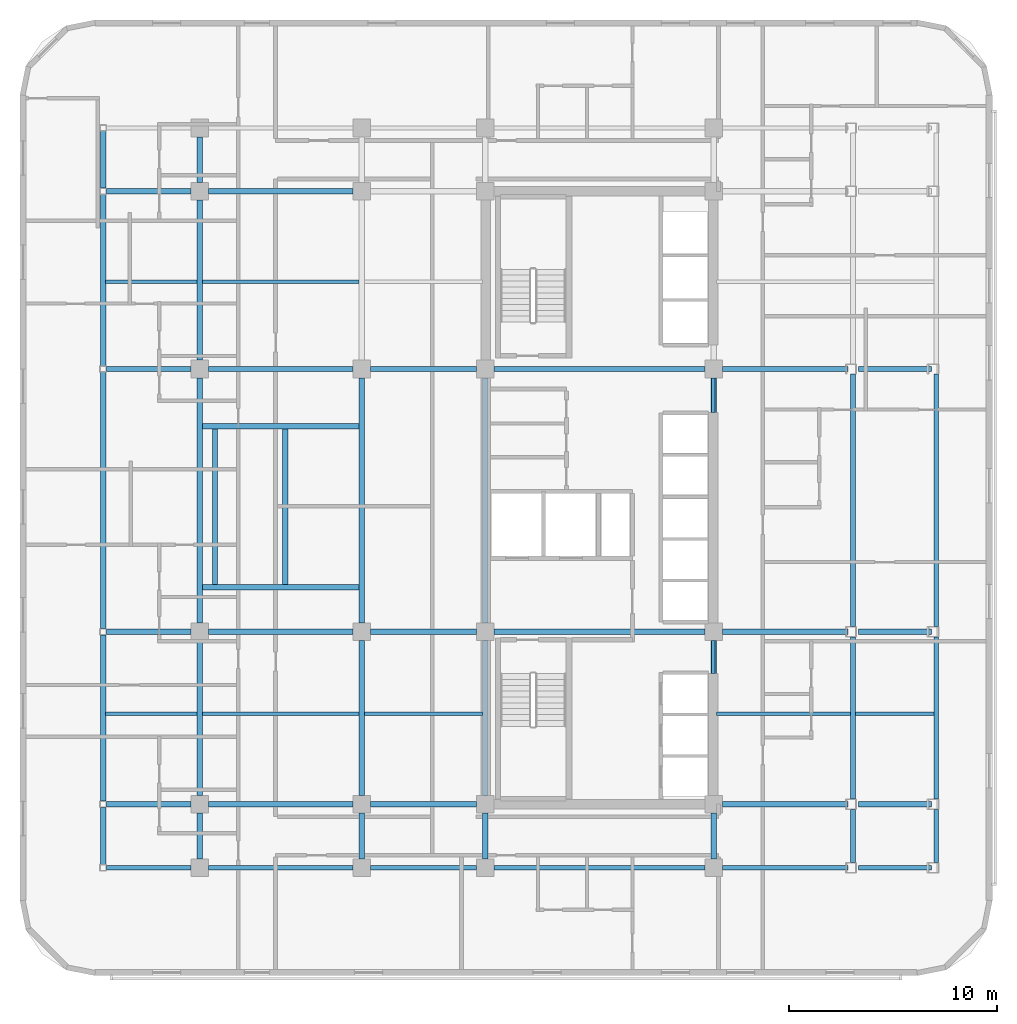
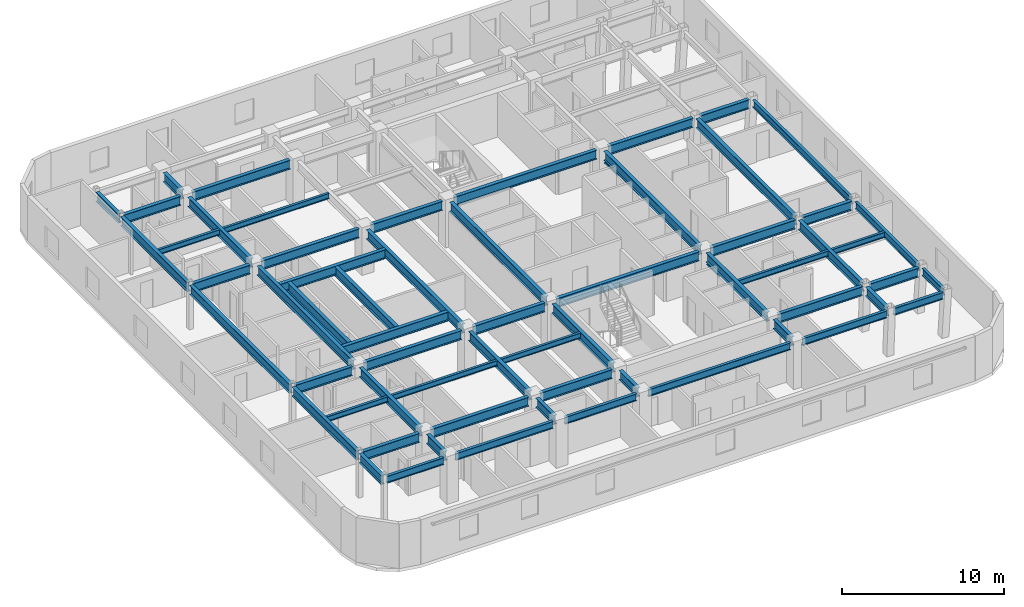
# One storey, part 4 of 14: 63 beams.
"""IFC4 building model written with IfcOpenShell, lengths in metres."""

import ifcopenshell
import ifcopenshell.guid

model = None  # the IFC model being written
_history = None  # IfcOwnerHistory: only IFC2X3 demands one
_inside = {}  # id of a spatial element -> (the spatial element, [elements in it])
_under = {}  # id of a project, library or spatial element -> (it, [spatial elements below it])
_declared = {}  # id of a project -> (the project, [libraries it declares])
_typed = {}  # id of a type object -> (the type object, [elements of that type])
_made_of = {}  # id of a material, layer set ... -> (it, [elements and type objects made of it])


def new_model(schema):
    """Start an empty IFC model of exactly this schema.

    Asked for "IFC4X3", IfcOpenShell would pick the latest addendum, in which some entities
    have other attributes; the version numbers below select the first issue.
    IFC2X3 requires an IfcOwnerHistory on every rooted entity: one is made here for all.
    """
    global model, _history
    if schema == "IFC4X3":
        model = ifcopenshell.file(schema_version=(4, 3, 0, 0))
    else:
        model = ifcopenshell.file(schema=schema)
    _inside.clear()
    _under.clear()
    _declared.clear()
    _typed.clear()
    _made_of.clear()
    _history = None
    if model.schema == "IFC2X3":
        org = make("IfcOrganization", Name="unknown")
        user = make(
            "IfcPersonAndOrganization",
            ThePerson=make("IfcPerson", FamilyName="unknown"),
            TheOrganization=org,
        )
        app = make(
            "IfcApplication",
            ApplicationDeveloper=org,
            Version="unknown",
            ApplicationFullName="unknown",
            ApplicationIdentifier="unknown",
        )
        _history = make(
            "IfcOwnerHistory",
            OwningUser=user,
            OwningApplication=app,
            ChangeAction="ADDED",
            CreationDate=0,
        )
    return model


def make(cls, **values):
    """One entity of the class cls with the attributes given. An attribute that is None is left unset."""
    return model.create_entity(
        cls, **{name: value for name, value in values.items() if value is not None}
    )


def rooted(cls, **values):
    """An entity with a GlobalId (a new one), such as an element, a storey or a relation."""
    return make(cls, GlobalId=ifcopenshell.guid.new(), OwnerHistory=_history, **values)


def si_unit(unit_type, name, prefix=None):
    """IfcSIUnit, for example si_unit("LENGTHUNIT", "METRE", prefix="MILLI")."""
    return make("IfcSIUnit", UnitType=unit_type, Prefix=prefix, Name=name)


def assignment(units):
    """IfcUnitAssignment: the units of a project."""
    return None if units is None else make("IfcUnitAssignment", Units=units)


def point(xyz):
    """IfcCartesianPoint."""
    return None if xyz is None else make("IfcCartesianPoint", Coordinates=xyz)


def direction(xyz):
    """IfcDirection."""
    return None if xyz is None else make("IfcDirection", DirectionRatios=xyz)


def frame(location, z_axis=None, x_axis=None):
    """IfcAxis2Placement3D, a coordinate frame: its origin and axes. An axis left out is left unset."""
    return make(
        "IfcAxis2Placement3D",
        Location=point(location),
        Axis=direction(z_axis),
        RefDirection=direction(x_axis),
    )


def frame_2d(location, x_axis=None):
    """IfcAxis2Placement2D, a coordinate frame in the plane: its origin and x axis."""
    return make(
        "IfcAxis2Placement2D", Location=point(location), RefDirection=direction(x_axis)
    )


def origin():
    """The frame at (0, 0, 0) with its axes left unset."""
    return frame((0.0, 0.0, 0.0))


def origin_2d():
    """The frame at (0, 0) in the plane with its x axis left unset."""
    return frame_2d((0.0, 0.0))


def place(relative_to, where):
    """IfcLocalPlacement: puts the frame where relative to a parent placement (None: the world)."""
    return make(
        "IfcLocalPlacement", PlacementRelTo=relative_to, RelativePlacement=where
    )


def context(
    kind, dimensions, precision=None, world=None, true_north=None, identifier=None
):
    """IfcGeometricRepresentationContext, for example the 3D "Model" context."""
    return make(
        "IfcGeometricRepresentationContext",
        ContextIdentifier=identifier,
        ContextType=kind,
        CoordinateSpaceDimension=dimensions,
        Precision=precision,
        WorldCoordinateSystem=world,
        TrueNorth=true_north,
    )


def subcontext(parent, identifier, kind, view, scale=None):
    """IfcGeometricRepresentationSubContext, for example "Body" below "Model"."""
    return make(
        "IfcGeometricRepresentationSubContext",
        ContextIdentifier=identifier,
        ContextType=kind,
        ParentContext=parent,
        TargetScale=scale,
        TargetView=view,
    )


def project(units=None, contexts=None):
    """IfcProject with its units and contexts."""
    return rooted(
        "IfcProject",
        Name="project",
        RepresentationContexts=contexts,
        UnitsInContext=assignment(units),
    )


def spatial(cls, under=None, at=None, **own):
    """A site, building, storey or space (cls), placed at a placement, below another one or the project."""
    s = rooted(cls, ObjectPlacement=at, **own)
    if under is not None:
        _under.setdefault(under.id(), (under, []))[1].append(s)
    return s


def profile(cls, at=None, kind="AREA", **sizes):
    """A parametric profile (cls). Its sizes go by their IFC names, for example OverallWidth=200.0."""
    return make(cls, ProfileType=kind, Position=at, **sizes)


def i_section(**sizes):
    """IfcIShapeProfileDef."""
    return profile("IfcIShapeProfileDef", **sizes)


def extrude(swept, where, along, depth):
    """IfcExtrudedAreaSolid: the profile swept, set in the frame where, extruded along a direction by depth."""
    return make(
        "IfcExtrudedAreaSolid",
        SweptArea=swept,
        Position=where,
        ExtrudedDirection=direction(along),
        Depth=depth,
    )


def shape(context_of_items, identifier, shape_type, items):
    """IfcShapeRepresentation: the items that make up one representation, for example the "Body"."""
    return make(
        "IfcShapeRepresentation",
        ContextOfItems=context_of_items,
        RepresentationIdentifier=identifier,
        RepresentationType=shape_type,
        Items=items,
    )


def material(Name=None, Category=None):
    """IfcMaterial."""
    return make("IfcMaterial", Name=Name, Category=Category)


def material_profile(
    of_material, cross_section, Name=None, Category=None, Priority=None
):
    """IfcMaterialProfile: a cross section and its material."""
    return make(
        "IfcMaterialProfile",
        Name=Name,
        Material=of_material,
        Profile=cross_section,
        Priority=Priority,
        Category=Category,
    )


def profile_set(profiles, Name=None, composite=None):
    """IfcMaterialProfileSet."""
    return make(
        "IfcMaterialProfileSet",
        Name=Name,
        MaterialProfiles=profiles,
        CompositeProfile=composite,
    )


def made_of(thing, what):
    """Note that an element or type object is made of a material, layer set ...; save() writes the relation."""
    if what is not None:
        _made_of.setdefault(what.id(), (what, []))[1].append(thing)
    return thing


def type_object(cls, material=None, **own):
    """A type object (cls), such as IfcWallType, which elements share."""
    return made_of(rooted(cls, **own), material)


def element(
    cls,
    number,
    at=None,
    inside=None,
    cuts=None,
    type_object=None,
    material=None,
    context=None,
    identifier="Body",
    shape_type=None,
    held_by="IfcProductDefinitionShape",
    body=None,
    shapes=None,
    **own,
):
    """One element of the class cls, such as IfcWall. Its Tag is "e" and its number.

    at: its placement. inside: the storey or other place that contains it. cuts: it is an
    opening in that element (IfcRelVoidsElement). A single representation is given by context,
    identifier, shape_type and body (its items); several are given by shapes. held_by: the class
    of the entity that holds the representations. save() writes the other relations.
    """
    e = rooted(cls, Tag="e%d" % number, ObjectPlacement=at, **own)
    if body is not None:
        shapes = [shape(context, identifier, shape_type, body)]
    if shapes is not None:
        e.Representation = make(held_by, Representations=shapes)
    if inside is not None:
        _inside.setdefault(inside.id(), (inside, []))[1].append(e)
    if cuts is not None:
        rooted(
            "IfcRelVoidsElement", RelatingBuildingElement=cuts, RelatedOpeningElement=e
        )
    if type_object is not None:
        _typed.setdefault(type_object.id(), (type_object, []))[1].append(e)
    return made_of(e, material)


def aggregate(whole, parts):
    """IfcRelAggregates: a whole, such as a stair, and the parts it consists of."""
    return rooted("IfcRelAggregates", RelatingObject=whole, RelatedObjects=parts)


def save(model, path):
    """Write the relations noted so far, then the file.

    IfcRelAggregates (storeys below a building ...), IfcRelContainedInSpatialStructure (elements
    in a storey), IfcRelDefinesByType, IfcRelAssociatesMaterial and IfcRelDeclares: one each for
    every whole, place, type object, material and project.
    """
    for whole, parts in _under.values():
        aggregate(whole, parts)
    for where, things in _inside.values():
        rooted(
            "IfcRelContainedInSpatialStructure",
            RelatedElements=things,
            RelatingStructure=where,
        )
    for kind, things in _typed.values():
        rooted("IfcRelDefinesByType", RelatedObjects=things, RelatingType=kind)
    for what, things in _made_of.values():
        rooted("IfcRelAssociatesMaterial", RelatedObjects=things, RelatingMaterial=what)
    for by, libraries in _declared.values():
        rooted("IfcRelDeclares", RelatingContext=by, RelatedDefinitions=libraries)
    model.write(path)


model = new_model("IFC4")

# Units and contexts
model_context = context("Model", 3, precision=1e-05, world=origin(), true_north=direction((0.0, 1.0)))
body_context = subcontext(model_context, "Body", "Model", "MODEL_VIEW")
ifc_project = project(units=[si_unit("LENGTHUNIT", "METRE"), si_unit("AREAUNIT", "SQUARE_METRE"), si_unit("VOLUMEUNIT", "CUBIC_METRE"), si_unit("PLANEANGLEUNIT", "RADIAN"), si_unit("MASSUNIT", "GRAM", prefix="KILO")], contexts=[model_context])

# Site, building, storey
site_placement = place(None, origin())
site = spatial("IfcSite", under=ifc_project, at=site_placement, CompositionType="ELEMENT")
building_placement = place(site_placement, origin())
building = spatial("IfcBuilding", under=site, at=building_placement, Name="Ochreholt Gables", CompositionType="ELEMENT")
storey_placement = place(building_placement, frame((0.0, 0.0, 52.800048828125)))
storey = spatial("IfcBuildingStorey", under=building, at=storey_placement, Name="L13", CompositionType="ELEMENT", Elevation=52.800048828125)

# Beams
ifc_material = material(Name="Steel CSA G40.21 350W", Category="steel")
ifc_material_profile_1 = material_profile(ifc_material, i_section(OverallWidth=0.256103515625, OverallDepth=0.693115234375, WebThickness=0.014404296875, FlangeThickness=0.023681640625, at=origin_2d()), Name="W690X170")
ifc_profile_set_1 = profile_set([ifc_material_profile_1], Name="Steel CSA G40.21 350W")
beam_type_1 = type_object("IfcBeamType", Name="BM-G-W690", PredefinedType="BEAM", material=ifc_profile_set_1)
beam_1_placement = place(storey_placement, frame((5.9521484375, 9.25, 3.013427734375), z_axis=(1.0, 0.0, 0.0), x_axis=(0.0, 1.0, 0.0)))
element("IfcBeam", 1, at=beam_1_placement, inside=storey, type_object=beam_type_1, Name="L13 Beam TBG-L13-WTW2-Y2", PredefinedType="BEAM", context=body_context, shape_type="SweptSolid", body=[
    extrude(i_section(OverallWidth=0.256103515625, OverallDepth=0.693115234375, WebThickness=0.014404296875, FlangeThickness=0.023681640625, at=origin_2d()), origin(), (0.0, 0.0, 1.0), 4.0732421875),
])
beam_2_placement = place(storey_placement, frame((10.87451171875, 9.25, 3.013427734375), z_axis=(1.0, 0.0, 0.0), x_axis=(0.0, 1.0, 0.0)))
element("IfcBeam", 2, at=beam_2_placement, inside=storey, type_object=beam_type_1, Name="L13 Beam TBG-L13-W2W3-Y2", PredefinedType="BEAM", context=body_context, shape_type="SweptSolid", body=[
    extrude(i_section(OverallWidth=0.256103515625, OverallDepth=0.693115234375, WebThickness=0.014404296875, FlangeThickness=0.023681640625, at=origin_2d()), origin(), (0.0, 0.0, 1.0), 6.950927734375),
])
beam_3_placement = place(storey_placement, frame((18.674560546875, 9.25, 3.013427734375), z_axis=(1.0, 0.0, 0.0), x_axis=(0.0, 1.0, 0.0)))
element("IfcBeam", 3, at=beam_3_placement, inside=storey, type_object=beam_type_1, Name="L13 Beam TBG-L13-W3C1-Y2", PredefinedType="BEAM", context=body_context, shape_type="SweptSolid", body=[
    extrude(i_section(OverallWidth=0.256103515625, OverallDepth=0.693115234375, WebThickness=0.014404296875, FlangeThickness=0.023681640625, at=origin_2d()), origin(), (0.0, 0.0, 1.0), 5.100830078125),
])
beam_4_placement = place(storey_placement, frame((35.62451171875, 9.25, 3.013427734375), z_axis=(1.0, 0.0, 0.0), x_axis=(0.0, 1.0, 0.0)))
element("IfcBeam", 4, at=beam_4_placement, inside=storey, type_object=beam_type_1, Name="L13 Beam TBG-L13-C2EM-Y2", PredefinedType="BEAM", context=body_context, shape_type="SweptSolid", body=[
    extrude(i_section(OverallWidth=0.256103515625, OverallDepth=0.693115234375, WebThickness=0.014404296875, FlangeThickness=0.023681640625, at=origin_2d()), origin(), (0.0, 0.0, 1.0), 6.035888671875),
])
beam_5_placement = place(storey_placement, frame((42.15966796875, 9.25, 3.013427734375), z_axis=(1.0, 0.0, 0.0), x_axis=(0.0, 1.0, 0.0)))
element("IfcBeam", 5, at=beam_5_placement, inside=storey, type_object=beam_type_1, Name="L13 Beam TBG-L13-EMEE-Y2", PredefinedType="BEAM", context=body_context, shape_type="SweptSolid", body=[
    extrude(i_section(OverallWidth=0.256103515625, OverallDepth=0.693115234375, WebThickness=0.014404296875, FlangeThickness=0.023681640625, at=origin_2d()), origin(), (0.0, 0.0, 1.0), 3.518798828125),
])
beam_6_placement = place(storey_placement, frame((5.9521484375, 17.550048828125, 3.013427734375), z_axis=(1.0, 0.0, 0.0), x_axis=(0.0, 1.0, 0.0)))
element("IfcBeam", 6, at=beam_6_placement, inside=storey, type_object=beam_type_1, Name="L13 Beam TBG-L13-WTW2-Y3", PredefinedType="BEAM", context=body_context, shape_type="SweptSolid", body=[
    extrude(i_section(OverallWidth=0.256103515625, OverallDepth=0.693115234375, WebThickness=0.014404296875, FlangeThickness=0.023681640625, at=origin_2d()), origin(), (0.0, 0.0, 1.0), 4.0732421875),
])
beam_7_placement = place(storey_placement, frame((10.87451171875, 17.550048828125, 3.013427734375), z_axis=(1.0, 0.0, 0.0), x_axis=(0.0, 1.0, 0.0)))
element("IfcBeam", 7, at=beam_7_placement, inside=storey, type_object=beam_type_1, Name="L13 Beam TBG-L13-W2W3-Y3", PredefinedType="BEAM", context=body_context, shape_type="SweptSolid", body=[
    extrude(i_section(OverallWidth=0.256103515625, OverallDepth=0.693115234375, WebThickness=0.014404296875, FlangeThickness=0.023681640625, at=origin_2d()), origin(), (0.0, 0.0, 1.0), 6.950927734375),
])
beam_8_placement = place(storey_placement, frame((18.674560546875, 17.550048828125, 3.013427734375), z_axis=(1.0, 0.0, 0.0), x_axis=(0.0, 1.0, 0.0)))
element("IfcBeam", 8, at=beam_8_placement, inside=storey, type_object=beam_type_1, Name="L13 Beam TBG-L13-W3C1-Y3", PredefinedType="BEAM", context=body_context, shape_type="SweptSolid", body=[
    extrude(i_section(OverallWidth=0.256103515625, OverallDepth=0.693115234375, WebThickness=0.014404296875, FlangeThickness=0.023681640625, at=origin_2d()), origin(), (0.0, 0.0, 1.0), 5.100830078125),
])
beam_9_placement = place(storey_placement, frame((24.62451171875, 17.550048828125, 3.013427734375), z_axis=(1.0, 0.0, 0.0), x_axis=(0.0, 1.0, 0.0)))
element("IfcBeam", 9, at=beam_9_placement, inside=storey, type_object=beam_type_1, Name="L13 Beam TBG-L13-C1C2-Y3", PredefinedType="BEAM", context=body_context, shape_type="SweptSolid", body=[
    extrude(i_section(OverallWidth=0.256103515625, OverallDepth=0.693115234375, WebThickness=0.014404296875, FlangeThickness=0.023681640625, at=origin_2d()), origin(), (0.0, 0.0, 1.0), 10.15087890625),
])
beam_10_placement = place(storey_placement, frame((35.62451171875, 17.550048828125, 3.013427734375), z_axis=(1.0, 0.0, 0.0), x_axis=(0.0, 1.0, 0.0)))
element("IfcBeam", 10, at=beam_10_placement, inside=storey, type_object=beam_type_1, Name="L13 Beam TBG-L13-C2EM-Y3", PredefinedType="BEAM", context=body_context, shape_type="SweptSolid", body=[
    extrude(i_section(OverallWidth=0.256103515625, OverallDepth=0.693115234375, WebThickness=0.014404296875, FlangeThickness=0.023681640625, at=origin_2d()), origin(), (0.0, 0.0, 1.0), 6.035888671875),
])
beam_11_placement = place(storey_placement, frame((42.15966796875, 17.550048828125, 3.013427734375), z_axis=(1.0, 0.0, 0.0), x_axis=(0.0, 1.0, 0.0)))
element("IfcBeam", 11, at=beam_11_placement, inside=storey, type_object=beam_type_1, Name="L13 Beam TBG-L13-EMEE-Y3", PredefinedType="BEAM", context=body_context, shape_type="SweptSolid", body=[
    extrude(i_section(OverallWidth=0.256103515625, OverallDepth=0.693115234375, WebThickness=0.014404296875, FlangeThickness=0.023681640625, at=origin_2d()), origin(), (0.0, 0.0, 1.0), 3.518798828125),
])
beam_12_placement = place(storey_placement, frame((5.9521484375, 30.199951171875, 3.013427734375), z_axis=(1.0, 0.0, 0.0), x_axis=(0.0, 1.0, 0.0)))
element("IfcBeam", 12, at=beam_12_placement, inside=storey, type_object=beam_type_1, Name="L13 Beam TBG-L13-WTW2-Y4", PredefinedType="BEAM", context=body_context, shape_type="SweptSolid", body=[
    extrude(i_section(OverallWidth=0.256103515625, OverallDepth=0.693115234375, WebThickness=0.014404296875, FlangeThickness=0.023681640625, at=origin_2d()), origin(), (0.0, 0.0, 1.0), 4.0732421875),
])
beam_13_placement = place(storey_placement, frame((10.87451171875, 30.199951171875, 3.013427734375), z_axis=(1.0, 0.0, 0.0), x_axis=(0.0, 1.0, 0.0)))
element("IfcBeam", 13, at=beam_13_placement, inside=storey, type_object=beam_type_1, Name="L13 Beam TBG-L13-W2W3-Y4", PredefinedType="BEAM", context=body_context, shape_type="SweptSolid", body=[
    extrude(i_section(OverallWidth=0.256103515625, OverallDepth=0.693115234375, WebThickness=0.014404296875, FlangeThickness=0.023681640625, at=origin_2d()), origin(), (0.0, 0.0, 1.0), 6.950927734375),
])
beam_14_placement = place(storey_placement, frame((18.674560546875, 30.199951171875, 3.013427734375), z_axis=(1.0, 0.0, 0.0), x_axis=(0.0, 1.0, 0.0)))
element("IfcBeam", 14, at=beam_14_placement, inside=storey, type_object=beam_type_1, Name="L13 Beam TBG-L13-W3C1-Y4", PredefinedType="BEAM", context=body_context, shape_type="SweptSolid", body=[
    extrude(i_section(OverallWidth=0.256103515625, OverallDepth=0.693115234375, WebThickness=0.014404296875, FlangeThickness=0.023681640625, at=origin_2d()), origin(), (0.0, 0.0, 1.0), 5.100830078125),
])
beam_15_placement = place(storey_placement, frame((24.62451171875, 30.199951171875, 3.013427734375), z_axis=(1.0, 0.0, 0.0), x_axis=(0.0, 1.0, 0.0)))
element("IfcBeam", 15, at=beam_15_placement, inside=storey, type_object=beam_type_1, Name="L13 Beam TBG-L13-C1C2-Y4", PredefinedType="BEAM", context=body_context, shape_type="SweptSolid", body=[
    extrude(i_section(OverallWidth=0.256103515625, OverallDepth=0.693115234375, WebThickness=0.014404296875, FlangeThickness=0.023681640625, at=origin_2d()), origin(), (0.0, 0.0, 1.0), 10.15087890625),
])
beam_16_placement = place(storey_placement, frame((35.62451171875, 30.199951171875, 3.013427734375), z_axis=(1.0, 0.0, 0.0), x_axis=(0.0, 1.0, 0.0)))
element("IfcBeam", 16, at=beam_16_placement, inside=storey, type_object=beam_type_1, Name="L13 Beam TBG-L13-C2EM-Y4", PredefinedType="BEAM", context=body_context, shape_type="SweptSolid", body=[
    extrude(i_section(OverallWidth=0.256103515625, OverallDepth=0.693115234375, WebThickness=0.014404296875, FlangeThickness=0.023681640625, at=origin_2d()), origin(), (0.0, 0.0, 1.0), 6.035888671875),
])
beam_17_placement = place(storey_placement, frame((42.15966796875, 30.199951171875, 3.013427734375), z_axis=(1.0, 0.0, 0.0), x_axis=(0.0, 1.0, 0.0)))
element("IfcBeam", 17, at=beam_17_placement, inside=storey, type_object=beam_type_1, Name="L13 Beam TBG-L13-EMEE-Y4", PredefinedType="BEAM", context=body_context, shape_type="SweptSolid", body=[
    extrude(i_section(OverallWidth=0.256103515625, OverallDepth=0.693115234375, WebThickness=0.014404296875, FlangeThickness=0.023681640625, at=origin_2d()), origin(), (0.0, 0.0, 1.0), 3.518798828125),
])
beam_18_placement = place(storey_placement, frame((5.9521484375, 38.75, 3.013427734375), z_axis=(1.0, 0.0, 0.0), x_axis=(0.0, 1.0, 0.0)))
element("IfcBeam", 18, at=beam_18_placement, inside=storey, type_object=beam_type_1, Name="L13 Beam TBG-L13-WTW2-Y5", PredefinedType="BEAM", context=body_context, shape_type="SweptSolid", body=[
    extrude(i_section(OverallWidth=0.256103515625, OverallDepth=0.693115234375, WebThickness=0.014404296875, FlangeThickness=0.023681640625, at=origin_2d()), origin(), (0.0, 0.0, 1.0), 4.0732421875),
])
beam_19_placement = place(storey_placement, frame((10.87451171875, 38.75, 3.013427734375), z_axis=(1.0, 0.0, 0.0), x_axis=(0.0, 1.0, 0.0)))
element("IfcBeam", 19, at=beam_19_placement, inside=storey, type_object=beam_type_1, Name="L13 Beam TBG-L13-W2W3-Y5", PredefinedType="BEAM", context=body_context, shape_type="SweptSolid", body=[
    extrude(i_section(OverallWidth=0.256103515625, OverallDepth=0.693115234375, WebThickness=0.014404296875, FlangeThickness=0.023681640625, at=origin_2d()), origin(), (0.0, 0.0, 1.0), 6.950927734375),
])
beam_20_placement = place(storey_placement, frame((5.800048828125, 6.35205078125, 3.013427734375), z_axis=(0.0, 1.0, 0.0), x_axis=(-1.0, 0.0, 0.0)))
element("IfcBeam", 20, at=beam_20_placement, inside=storey, type_object=beam_type_1, Name="L13 Beam TBN-L13-WT-Y1Y2", PredefinedType="BEAM", context=body_context, shape_type="SweptSolid", body=[
    extrude(i_section(OverallWidth=0.256103515625, OverallDepth=0.693115234375, WebThickness=0.014404296875, FlangeThickness=0.023681640625, at=origin_2d()), origin(), (0.0, 0.0, 1.0), 2.745849609375),
])
beam_21_placement = place(storey_placement, frame((5.800048828125, 9.402099609375, 3.013427734375), z_axis=(0.0, 1.0, 0.0), x_axis=(-1.0, 0.0, 0.0)))
element("IfcBeam", 21, at=beam_21_placement, inside=storey, type_object=beam_type_1, Name="L13 Beam TBN-L13-WT-Y2Y3", PredefinedType="BEAM", context=body_context, shape_type="SweptSolid", body=[
    extrude(i_section(OverallWidth=0.256103515625, OverallDepth=0.693115234375, WebThickness=0.014404296875, FlangeThickness=0.023681640625, at=origin_2d()), origin(), (0.0, 0.0, 1.0), 7.995849609375),
])
beam_22_placement = place(storey_placement, frame((5.800048828125, 17.7021484375, 3.013427734375), z_axis=(0.0, 1.0, 0.0), x_axis=(-1.0, 0.0, 0.0)))
element("IfcBeam", 22, at=beam_22_placement, inside=storey, type_object=beam_type_1, Name="L13 Beam TBN-L13-WT-Y3Y4", PredefinedType="BEAM", context=body_context, shape_type="SweptSolid", body=[
    extrude(i_section(OverallWidth=0.256103515625, OverallDepth=0.693115234375, WebThickness=0.014404296875, FlangeThickness=0.023681640625, at=origin_2d()), origin(), (0.0, 0.0, 1.0), 12.345703125),
])
beam_23_placement = place(storey_placement, frame((5.800048828125, 30.35205078125, 3.013427734375), z_axis=(0.0, 1.0, 0.0), x_axis=(-1.0, 0.0, 0.0)))
element("IfcBeam", 23, at=beam_23_placement, inside=storey, type_object=beam_type_1, Name="L13 Beam TBN-L13-WT-Y4Y5", PredefinedType="BEAM", context=body_context, shape_type="SweptSolid", body=[
    extrude(i_section(OverallWidth=0.256103515625, OverallDepth=0.693115234375, WebThickness=0.014404296875, FlangeThickness=0.023681640625, at=origin_2d()), origin(), (0.0, 0.0, 1.0), 8.245849609375),
])
beam_24_placement = place(storey_placement, frame((5.800048828125, 38.902099609375, 3.013427734375), z_axis=(0.0, 1.0, 0.0), x_axis=(-1.0, 0.0, 0.0)))
element("IfcBeam", 24, at=beam_24_placement, inside=storey, type_object=beam_type_1, Name="L13 Beam TBN-L13-WT-Y5Y6", PredefinedType="BEAM", context=body_context, shape_type="SweptSolid", body=[
    extrude(i_section(OverallWidth=0.256103515625, OverallDepth=0.693115234375, WebThickness=0.014404296875, FlangeThickness=0.023681640625, at=origin_2d()), origin(), (0.0, 0.0, 1.0), 2.745849609375),
])
beam_25_placement = place(storey_placement, frame((10.449951171875, 6.62451171875, 3.013427734375), z_axis=(0.0, 1.0, 0.0), x_axis=(-1.0, 0.0, 0.0)))
element("IfcBeam", 25, at=beam_25_placement, inside=storey, type_object=beam_type_1, Name="L13 Beam TBN-L13-W2-Y1Y2", PredefinedType="BEAM", context=body_context, shape_type="SweptSolid", body=[
    extrude(i_section(OverallWidth=0.256103515625, OverallDepth=0.693115234375, WebThickness=0.014404296875, FlangeThickness=0.023681640625, at=origin_2d()), origin(), (0.0, 0.0, 1.0), 2.200927734375),
])
beam_26_placement = place(storey_placement, frame((10.449951171875, 9.674560546875, 3.013427734375), z_axis=(0.0, 1.0, 0.0), x_axis=(-1.0, 0.0, 0.0)))
element("IfcBeam", 26, at=beam_26_placement, inside=storey, type_object=beam_type_1, Name="L13 Beam TBN-L13-W2-Y2Y3", PredefinedType="BEAM", context=body_context, shape_type="SweptSolid", body=[
    extrude(i_section(OverallWidth=0.256103515625, OverallDepth=0.693115234375, WebThickness=0.014404296875, FlangeThickness=0.023681640625, at=origin_2d()), origin(), (0.0, 0.0, 1.0), 7.450927734375),
])
beam_27_placement = place(storey_placement, frame((10.449951171875, 17.974609375, 3.013427734375), z_axis=(0.0, 1.0, 0.0), x_axis=(-1.0, 0.0, 0.0)))
element("IfcBeam", 27, at=beam_27_placement, inside=storey, type_object=beam_type_1, Name="L13 Beam TBN-L13-W2-Y3Y4", PredefinedType="BEAM", context=body_context, shape_type="SweptSolid", body=[
    extrude(i_section(OverallWidth=0.256103515625, OverallDepth=0.693115234375, WebThickness=0.014404296875, FlangeThickness=0.023681640625, at=origin_2d()), origin(), (0.0, 0.0, 1.0), 11.80078125),
])
beam_28_placement = place(storey_placement, frame((10.449951171875, 30.62451171875, 3.013427734375), z_axis=(0.0, 1.0, 0.0), x_axis=(-1.0, 0.0, 0.0)))
element("IfcBeam", 28, at=beam_28_placement, inside=storey, type_object=beam_type_1, Name="L13 Beam TBN-L13-W2-Y4Y5", PredefinedType="BEAM", context=body_context, shape_type="SweptSolid", body=[
    extrude(i_section(OverallWidth=0.256103515625, OverallDepth=0.693115234375, WebThickness=0.014404296875, FlangeThickness=0.023681640625, at=origin_2d()), origin(), (0.0, 0.0, 1.0), 7.700927734375),
])
for number, where, z_axis, x_axis, name in (
    (29, (10.449951171875, 39.174560546875, 3.013427734375), (0.0, 1.0, 0.0), (-1.0, 0.0, 0.0), "L13 Beam TBN-L13-W2-Y5Y6"),
    (30, (18.25, 6.62451171875, 3.013427734375), (0.0, 1.0, 0.0), (-1.0, 0.0, 0.0), "L13 Beam TBN-L13-W3-Y1Y2"),
):
    element("IfcBeam", number, at=place(storey_placement, frame(where, z_axis=z_axis, x_axis=x_axis)), inside=storey, type_object=beam_type_1, Name=name, PredefinedType="BEAM", context=body_context, shape_type="SweptSolid", body=[
        extrude(i_section(OverallWidth=0.256103515625, OverallDepth=0.693115234375, WebThickness=0.014404296875, FlangeThickness=0.023681640625, at=origin_2d()), origin(), (0.0, 0.0, 1.0), 2.200927734375),
    ])
beam_29_placement = place(storey_placement, frame((18.25, 9.674560546875, 3.013427734375), z_axis=(0.0, 1.0, 0.0), x_axis=(-1.0, 0.0, 0.0)))
element("IfcBeam", 31, at=beam_29_placement, inside=storey, type_object=beam_type_1, Name="L13 Beam TBN-L13-W3-Y2Y3", PredefinedType="BEAM", context=body_context, shape_type="SweptSolid", body=[
    extrude(i_section(OverallWidth=0.256103515625, OverallDepth=0.693115234375, WebThickness=0.014404296875, FlangeThickness=0.023681640625, at=origin_2d()), origin(), (0.0, 0.0, 1.0), 7.450927734375),
])
beam_30_placement = place(storey_placement, frame((18.25, 17.974609375, 3.013427734375), z_axis=(0.0, 1.0, 0.0), x_axis=(-1.0, 0.0, 0.0)))
element("IfcBeam", 32, at=beam_30_placement, inside=storey, type_object=beam_type_1, Name="L13 Beam TBN-L13-W3-Y3Y4", PredefinedType="BEAM", context=body_context, shape_type="SweptSolid", body=[
    extrude(i_section(OverallWidth=0.256103515625, OverallDepth=0.693115234375, WebThickness=0.014404296875, FlangeThickness=0.023681640625, at=origin_2d()), origin(), (0.0, 0.0, 1.0), 11.80078125),
])
beam_31_placement = place(storey_placement, frame((24.199951171875, 6.62451171875, 3.013427734375), z_axis=(0.0, 1.0, 0.0), x_axis=(-1.0, 0.0, 0.0)))
element("IfcBeam", 33, at=beam_31_placement, inside=storey, type_object=beam_type_1, Name="L13 Beam TBN-L13-C1-Y1Y2", PredefinedType="BEAM", context=body_context, shape_type="SweptSolid", body=[
    extrude(i_section(OverallWidth=0.256103515625, OverallDepth=0.693115234375, WebThickness=0.014404296875, FlangeThickness=0.023681640625, at=origin_2d()), origin(), (0.0, 0.0, 1.0), 2.200927734375),
])
beam_32_placement = place(storey_placement, frame((24.199951171875, 9.674560546875, 3.013427734375), z_axis=(0.0, 1.0, 0.0), x_axis=(-1.0, 0.0, 0.0)))
element("IfcBeam", 34, at=beam_32_placement, inside=storey, type_object=beam_type_1, Name="L13 Beam TBN-L13-C1-Y2Y3", PredefinedType="BEAM", context=body_context, shape_type="SweptSolid", body=[
    extrude(i_section(OverallWidth=0.256103515625, OverallDepth=0.693115234375, WebThickness=0.014404296875, FlangeThickness=0.023681640625, at=origin_2d()), origin(), (0.0, 0.0, 1.0), 7.450927734375),
])
beam_33_placement = place(storey_placement, frame((24.199951171875, 17.974609375, 3.013427734375), z_axis=(0.0, 1.0, 0.0), x_axis=(-1.0, 0.0, 0.0)))
element("IfcBeam", 35, at=beam_33_placement, inside=storey, type_object=beam_type_1, Name="L13 Beam TBN-L13-C1-Y3Y4", PredefinedType="BEAM", context=body_context, shape_type="SweptSolid", body=[
    extrude(i_section(OverallWidth=0.256103515625, OverallDepth=0.693115234375, WebThickness=0.014404296875, FlangeThickness=0.023681640625, at=origin_2d()), origin(), (0.0, 0.0, 1.0), 11.80078125),
])
beam_34_placement = place(storey_placement, frame((35.199951171875, 6.62451171875, 3.013427734375), z_axis=(0.0, 1.0, 0.0), x_axis=(-1.0, 0.0, 0.0)))
element("IfcBeam", 36, at=beam_34_placement, inside=storey, type_object=beam_type_1, Name="L13 Beam TBN-L13-C2-Y1Y2", PredefinedType="BEAM", context=body_context, shape_type="SweptSolid", body=[
    extrude(i_section(OverallWidth=0.256103515625, OverallDepth=0.693115234375, WebThickness=0.014404296875, FlangeThickness=0.023681640625, at=origin_2d()), origin(), (0.0, 0.0, 1.0), 2.200927734375),
])
beam_35_placement = place(storey_placement, frame((35.199951171875, 9.674560546875, 3.013427734375), z_axis=(0.0, 1.0, 0.0), x_axis=(-1.0, 0.0, 0.0)))
element("IfcBeam", 37, at=beam_35_placement, inside=storey, type_object=beam_type_1, Name="L13 Beam TBN-L13-C2-Y2Y3", PredefinedType="BEAM", context=body_context, shape_type="SweptSolid", body=[
    extrude(i_section(OverallWidth=0.256103515625, OverallDepth=0.693115234375, WebThickness=0.014404296875, FlangeThickness=0.023681640625, at=origin_2d()), origin(), (0.0, 0.0, 1.0), 7.450927734375),
])
beam_36_placement = place(storey_placement, frame((35.199951171875, 17.974609375, 3.013427734375), z_axis=(0.0, 1.0, 0.0), x_axis=(-1.0, 0.0, 0.0)))
element("IfcBeam", 38, at=beam_36_placement, inside=storey, type_object=beam_type_1, Name="L13 Beam TBN-L13-C2-Y3Y4", PredefinedType="BEAM", context=body_context, shape_type="SweptSolid", body=[
    extrude(i_section(OverallWidth=0.256103515625, OverallDepth=0.693115234375, WebThickness=0.014404296875, FlangeThickness=0.023681640625, at=origin_2d()), origin(), (0.0, 0.0, 1.0), 11.80078125),
])
beam_37_placement = place(storey_placement, frame((41.892822265625, 6.44970703125, 3.013427734375), z_axis=(0.0, 1.0, 0.0), x_axis=(-1.0, 0.0, 0.0)))
element("IfcBeam", 39, at=beam_37_placement, inside=storey, type_object=beam_type_1, Name="L13 Beam TBN-L13-EM-Y1Y2", PredefinedType="BEAM", context=body_context, shape_type="SweptSolid", body=[
    extrude(i_section(OverallWidth=0.256103515625, OverallDepth=0.693115234375, WebThickness=0.014404296875, FlangeThickness=0.023681640625, at=origin_2d()), origin(), (0.0, 0.0, 1.0), 2.55078125),
])
beam_38_placement = place(storey_placement, frame((41.892822265625, 9.49951171875, 3.013427734375), z_axis=(0.0, 1.0, 0.0), x_axis=(-1.0, 0.0, 0.0)))
element("IfcBeam", 40, at=beam_38_placement, inside=storey, type_object=beam_type_1, Name="L13 Beam TBN-L13-EM-Y2Y3", PredefinedType="BEAM", context=body_context, shape_type="SweptSolid", body=[
    extrude(i_section(OverallWidth=0.256103515625, OverallDepth=0.693115234375, WebThickness=0.014404296875, FlangeThickness=0.023681640625, at=origin_2d()), origin(), (0.0, 0.0, 1.0), 7.80078125),
])
beam_39_placement = place(storey_placement, frame((41.892822265625, 17.799560546875, 3.013427734375), z_axis=(0.0, 1.0, 0.0), x_axis=(-1.0, 0.0, 0.0)))
element("IfcBeam", 41, at=beam_39_placement, inside=storey, type_object=beam_type_1, Name="L13 Beam TBN-L13-EM-Y3Y4", PredefinedType="BEAM", context=body_context, shape_type="SweptSolid", body=[
    extrude(i_section(OverallWidth=0.256103515625, OverallDepth=0.693115234375, WebThickness=0.014404296875, FlangeThickness=0.023681640625, at=origin_2d()), origin(), (0.0, 0.0, 1.0), 12.15087890625),
])
for number, where, z_axis, x_axis, name in (
    (42, (10.57763671875, 19.68994140625, 3.013427734375), (1.0, 0.0, 0.0), (0.0, 1.0, 0.0), "L13 Beam TBH-L13-ST-C1-FSTLS"),
    (43, (10.57763671875, 27.449951171875, 3.013427734375), (1.0, 0.0, 0.0), (0.0, 1.0, 0.0), "L13 Beam TBH-L13-ST-C1-FSTLN"),
):
    element("IfcBeam", number, at=place(storey_placement, frame(where, z_axis=z_axis, x_axis=x_axis)), inside=storey, type_object=beam_type_1, Name=name, PredefinedType="BEAM", context=body_context, shape_type="SweptSolid", body=[
        extrude(i_section(OverallWidth=0.256103515625, OverallDepth=0.693115234375, WebThickness=0.014404296875, FlangeThickness=0.023681640625, at=origin_2d()), origin(), (0.0, 0.0, 1.0), 7.544677734375),
    ])
for number, where, z_axis, x_axis, name in (
    (44, (11.18994140625, 19.817626953125, 3.013427734375), (0.0, 1.0, 0.0), (-1.0, 0.0, 0.0), "L13 Beam TBT-L13-ST-C1-FSTLW"),
    (45, (14.570068359375, 19.817626953125, 3.013427734375), (0.0, 1.0, 0.0), (-1.0, 0.0, 0.0), "L13 Beam TBT-L13-ST-C1-FSTLE"),
):
    element("IfcBeam", number, at=place(storey_placement, frame(where, z_axis=z_axis, x_axis=x_axis)), inside=storey, type_object=beam_type_1, Name=name, PredefinedType="BEAM", context=body_context, shape_type="SweptSolid", body=[
        extrude(i_section(OverallWidth=0.256103515625, OverallDepth=0.693115234375, WebThickness=0.014404296875, FlangeThickness=0.023681640625, at=origin_2d()), origin(), (0.0, 0.0, 1.0), 7.5048828125),
    ])
ifc_material_profile_2 = material_profile(ifc_material, i_section(OverallWidth=0.178955078125, OverallDepth=0.409912109375, WebThickness=0.0087890625, FlangeThickness=0.014404296875, at=origin_2d()), Name="W410X67")
ifc_profile_set_2 = profile_set([ifc_material_profile_2], Name="Steel CSA G40.21 350W")
beam_type_2 = type_object("IfcBeamType", Name="BM-J-W410", PredefinedType="JOIST", material=ifc_profile_set_2)
beam_40_placement = place(storey_placement, frame((5.927490234375, 13.60009765625, 3.155029296875), z_axis=(1.0, 0.0, 0.0), x_axis=(0.0, 1.0, 0.0)))
element("IfcBeam", 46, at=beam_40_placement, inside=storey, type_object=beam_type_2, Name="L13 Beam TBJ-L13-J1-WTW2", PredefinedType="JOIST", context=body_context, shape_type="SweptSolid", body=[
    extrude(i_section(OverallWidth=0.178955078125, OverallDepth=0.409912109375, WebThickness=0.0087890625, FlangeThickness=0.014404296875, at=origin_2d()), origin(), (0.0, 0.0, 1.0), 4.39501953125),
])
beam_41_placement = place(storey_placement, frame((10.57763671875, 13.60009765625, 3.155029296875), z_axis=(1.0, 0.0, 0.0), x_axis=(0.0, 1.0, 0.0)))
element("IfcBeam", 47, at=beam_41_placement, inside=storey, type_object=beam_type_2, Name="L13 Beam TBJ-L13-J1-W2W3", PredefinedType="JOIST", context=body_context, shape_type="SweptSolid", body=[
    extrude(i_section(OverallWidth=0.178955078125, OverallDepth=0.409912109375, WebThickness=0.0087890625, FlangeThickness=0.014404296875, at=origin_2d()), origin(), (0.0, 0.0, 1.0), 7.544677734375),
])
beam_42_placement = place(storey_placement, frame((18.377685546875, 13.60009765625, 3.155029296875), z_axis=(1.0, 0.0, 0.0), x_axis=(0.0, 1.0, 0.0)))
element("IfcBeam", 48, at=beam_42_placement, inside=storey, type_object=beam_type_2, Name="L13 Beam TBJ-L13-J1-W3C1", PredefinedType="JOIST", context=body_context, shape_type="SweptSolid", body=[
    extrude(i_section(OverallWidth=0.178955078125, OverallDepth=0.409912109375, WebThickness=0.0087890625, FlangeThickness=0.014404296875, at=origin_2d()), origin(), (0.0, 0.0, 1.0), 5.69482421875),
])
beam_43_placement = place(storey_placement, frame((35.32763671875, 13.60009765625, 3.155029296875), z_axis=(1.0, 0.0, 0.0), x_axis=(0.0, 1.0, 0.0)))
element("IfcBeam", 49, at=beam_43_placement, inside=storey, type_object=beam_type_2, Name="L13 Beam TBJ-L13-J1-C2EM", PredefinedType="JOIST", context=body_context, shape_type="SweptSolid", body=[
    extrude(i_section(OverallWidth=0.178955078125, OverallDepth=0.409912109375, WebThickness=0.0087890625, FlangeThickness=0.014404296875, at=origin_2d()), origin(), (0.0, 0.0, 1.0), 6.4375),
])
beam_44_placement = place(storey_placement, frame((42.0205078125, 13.60009765625, 3.155029296875), z_axis=(1.0, 0.0, 0.0), x_axis=(0.0, 1.0, 0.0)))
element("IfcBeam", 50, at=beam_44_placement, inside=storey, type_object=beam_type_2, Name="L13 Beam TBJ-L13-J1-EMEE", PredefinedType="JOIST", context=body_context, shape_type="SweptSolid", body=[
    extrude(i_section(OverallWidth=0.178955078125, OverallDepth=0.409912109375, WebThickness=0.0087890625, FlangeThickness=0.014404296875, at=origin_2d()), origin(), (0.0, 0.0, 1.0), 3.77490234375),
])
beam_45_placement = place(storey_placement, frame((5.927490234375, 34.39990234375, 3.155029296875), z_axis=(1.0, 0.0, 0.0), x_axis=(0.0, 1.0, 0.0)))
element("IfcBeam", 51, at=beam_45_placement, inside=storey, type_object=beam_type_2, Name="L13 Beam TBJ-L13-J2-WTW2", PredefinedType="JOIST", context=body_context, shape_type="SweptSolid", body=[
    extrude(i_section(OverallWidth=0.178955078125, OverallDepth=0.409912109375, WebThickness=0.0087890625, FlangeThickness=0.014404296875, at=origin_2d()), origin(), (0.0, 0.0, 1.0), 4.39501953125),
])
beam_46_placement = place(storey_placement, frame((10.57763671875, 34.39990234375, 3.155029296875), z_axis=(1.0, 0.0, 0.0), x_axis=(0.0, 1.0, 0.0)))
element("IfcBeam", 52, at=beam_46_placement, inside=storey, type_object=beam_type_2, Name="L13 Beam TBJ-L13-J2-W2W3", PredefinedType="JOIST", context=body_context, shape_type="SweptSolid", body=[
    extrude(i_section(OverallWidth=0.178955078125, OverallDepth=0.409912109375, WebThickness=0.0087890625, FlangeThickness=0.014404296875, at=origin_2d()), origin(), (0.0, 0.0, 1.0), 7.544677734375),
])
ifc_material_profile_3 = material_profile(ifc_material, i_section(OverallWidth=0.1650390625, OverallDepth=0.200927734375, WebThickness=0.006103515625, FlangeThickness=0.01025390625, at=origin_2d()), Name="W200X36")
ifc_profile_set_3 = profile_set([ifc_material_profile_3], Name="Steel CSA G40.21 350W")
beam_type_3 = type_object("IfcBeamType", Name="BM-LIN-W200", PredefinedType="LINTEL", material=ifc_profile_set_3)
beam_47_placement = place(storey_placement, frame((35.175048828125, 15.550048828125, 2.56640625), z_axis=(0.0, 1.0, 0.0), x_axis=(-1.0, 0.0, 0.0)))
element("IfcBeam", 53, at=beam_47_placement, inside=storey, type_object=beam_type_3, Name="L13 Core Coupling Lintel CPS", PredefinedType="LINTEL", context=body_context, shape_type="SweptSolid", body=[
    extrude(i_section(OverallWidth=0.1650390625, OverallDepth=0.200927734375, WebThickness=0.006103515625, FlangeThickness=0.01025390625, at=origin_2d()), origin(), (0.0, 0.0, 1.0), 1.574951171875),
])
beam_48_placement = place(storey_placement, frame((35.175048828125, 28.10009765625, 2.56640625), z_axis=(0.0, 1.0, 0.0), x_axis=(-1.0, 0.0, 0.0)))
element("IfcBeam", 54, at=beam_48_placement, inside=storey, type_object=beam_type_3, Name="L13 Core Coupling Lintel CPN", PredefinedType="LINTEL", context=body_context, shape_type="SweptSolid", body=[
    extrude(i_section(OverallWidth=0.1650390625, OverallDepth=0.200927734375, WebThickness=0.006103515625, FlangeThickness=0.01025390625, at=origin_2d()), origin(), (0.0, 0.0, 1.0), 1.6748046875),
])
ifc_material_profile_4 = material_profile(ifc_material, i_section(OverallWidth=0.208984375, OverallDepth=0.532958984375, WebThickness=0.01025390625, FlangeThickness=0.015625, at=origin_2d()), Name="W530X92")
ifc_profile_set_4 = profile_set([ifc_material_profile_4], Name="Steel CSA G40.21 350W")
beam_type_4 = type_object("IfcBeamType", Name="BM-SP-W530B", PredefinedType="SPANDREL", material=ifc_profile_set_4)
beam_49_placement = place(storey_placement, frame((5.9521484375, 6.199951171875, 3.093505859375), z_axis=(1.0, 0.0, 0.0), x_axis=(0.0, 1.0, 0.0)))
element("IfcBeam", 55, at=beam_49_placement, inside=storey, type_object=beam_type_4, Name="L13 Beam TBG-L13-WTW2-Y1", PredefinedType="SPANDREL", context=body_context, shape_type="SweptSolid", body=[
    extrude(i_section(OverallWidth=0.208984375, OverallDepth=0.532958984375, WebThickness=0.01025390625, FlangeThickness=0.015625, at=origin_2d()), origin(), (0.0, 0.0, 1.0), 4.0732421875),
])
beam_50_placement = place(storey_placement, frame((10.87451171875, 6.199951171875, 3.093505859375), z_axis=(1.0, 0.0, 0.0), x_axis=(0.0, 1.0, 0.0)))
element("IfcBeam", 56, at=beam_50_placement, inside=storey, type_object=beam_type_4, Name="L13 Beam TBG-L13-W2W3-Y1", PredefinedType="SPANDREL", context=body_context, shape_type="SweptSolid", body=[
    extrude(i_section(OverallWidth=0.208984375, OverallDepth=0.532958984375, WebThickness=0.01025390625, FlangeThickness=0.015625, at=origin_2d()), origin(), (0.0, 0.0, 1.0), 6.950927734375),
])
beam_51_placement = place(storey_placement, frame((18.674560546875, 6.199951171875, 3.093505859375), z_axis=(1.0, 0.0, 0.0), x_axis=(0.0, 1.0, 0.0)))
element("IfcBeam", 57, at=beam_51_placement, inside=storey, type_object=beam_type_4, Name="L13 Beam TBG-L13-W3C1-Y1", PredefinedType="SPANDREL", context=body_context, shape_type="SweptSolid", body=[
    extrude(i_section(OverallWidth=0.208984375, OverallDepth=0.532958984375, WebThickness=0.01025390625, FlangeThickness=0.015625, at=origin_2d()), origin(), (0.0, 0.0, 1.0), 5.100830078125),
])
beam_52_placement = place(storey_placement, frame((24.62451171875, 6.199951171875, 3.093505859375), z_axis=(1.0, 0.0, 0.0), x_axis=(0.0, 1.0, 0.0)))
element("IfcBeam", 58, at=beam_52_placement, inside=storey, type_object=beam_type_4, Name="L13 Beam TBG-L13-C1C2-Y1", PredefinedType="SPANDREL", context=body_context, shape_type="SweptSolid", body=[
    extrude(i_section(OverallWidth=0.208984375, OverallDepth=0.532958984375, WebThickness=0.01025390625, FlangeThickness=0.015625, at=origin_2d()), origin(), (0.0, 0.0, 1.0), 10.15087890625),
])
beam_53_placement = place(storey_placement, frame((35.62451171875, 6.199951171875, 3.093505859375), z_axis=(1.0, 0.0, 0.0), x_axis=(0.0, 1.0, 0.0)))
element("IfcBeam", 59, at=beam_53_placement, inside=storey, type_object=beam_type_4, Name="L13 Beam TBG-L13-C2EM-Y1", PredefinedType="SPANDREL", context=body_context, shape_type="SweptSolid", body=[
    extrude(i_section(OverallWidth=0.208984375, OverallDepth=0.532958984375, WebThickness=0.01025390625, FlangeThickness=0.015625, at=origin_2d()), origin(), (0.0, 0.0, 1.0), 6.035888671875),
])
beam_54_placement = place(storey_placement, frame((42.15966796875, 6.199951171875, 3.093505859375), z_axis=(1.0, 0.0, 0.0), x_axis=(0.0, 1.0, 0.0)))
element("IfcBeam", 60, at=beam_54_placement, inside=storey, type_object=beam_type_4, Name="L13 Beam TBG-L13-EMEE-Y1", PredefinedType="SPANDREL", context=body_context, shape_type="SweptSolid", body=[
    extrude(i_section(OverallWidth=0.208984375, OverallDepth=0.532958984375, WebThickness=0.01025390625, FlangeThickness=0.015625, at=origin_2d()), origin(), (0.0, 0.0, 1.0), 3.518798828125),
])
beam_55_placement = place(storey_placement, frame((45.899658203125, 6.44970703125, 3.093505859375), z_axis=(0.0, 1.0, 0.0), x_axis=(-1.0, 0.0, 0.0)))
element("IfcBeam", 61, at=beam_55_placement, inside=storey, type_object=beam_type_4, Name="L13 Beam TBN-L13-EE-Y1Y2", PredefinedType="SPANDREL", context=body_context, shape_type="SweptSolid", body=[
    extrude(i_section(OverallWidth=0.208984375, OverallDepth=0.532958984375, WebThickness=0.01025390625, FlangeThickness=0.015625, at=origin_2d()), origin(), (0.0, 0.0, 1.0), 2.55078125),
])
beam_56_placement = place(storey_placement, frame((45.899658203125, 9.49951171875, 3.093505859375), z_axis=(0.0, 1.0, 0.0), x_axis=(-1.0, 0.0, 0.0)))
element("IfcBeam", 62, at=beam_56_placement, inside=storey, type_object=beam_type_4, Name="L13 Beam TBN-L13-EE-Y2Y3", PredefinedType="SPANDREL", context=body_context, shape_type="SweptSolid", body=[
    extrude(i_section(OverallWidth=0.208984375, OverallDepth=0.532958984375, WebThickness=0.01025390625, FlangeThickness=0.015625, at=origin_2d()), origin(), (0.0, 0.0, 1.0), 7.80078125),
])
beam_57_placement = place(storey_placement, frame((45.899658203125, 17.799560546875, 3.093505859375), z_axis=(0.0, 1.0, 0.0), x_axis=(-1.0, 0.0, 0.0)))
element("IfcBeam", 63, at=beam_57_placement, inside=storey, type_object=beam_type_4, Name="L13 Beam TBN-L13-EE-Y3Y4", PredefinedType="SPANDREL", context=body_context, shape_type="SweptSolid", body=[
    extrude(i_section(OverallWidth=0.208984375, OverallDepth=0.532958984375, WebThickness=0.01025390625, FlangeThickness=0.015625, at=origin_2d()), origin(), (0.0, 0.0, 1.0), 12.15087890625),
])

save(model, "model.ifc")
